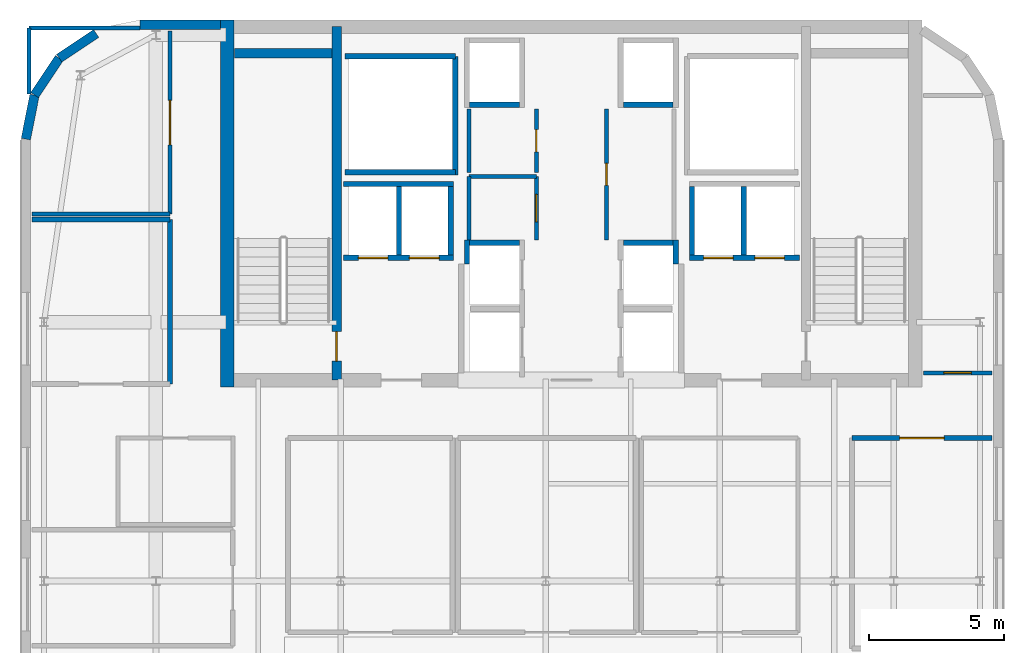
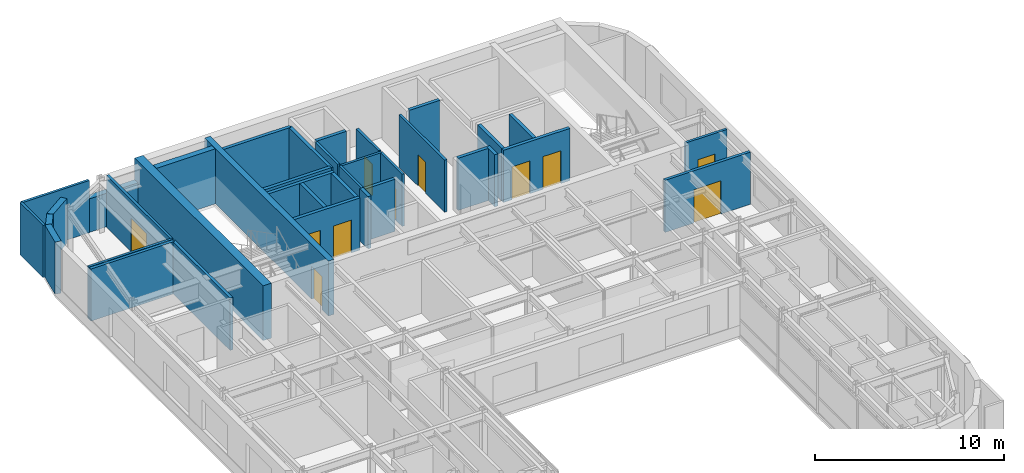
# One storey, part 16 of 21: 37 walls, 11 doors, 11 openings.
"""IFC4 building model written with IfcOpenShell, lengths in metres."""

from ifc_helpers import new_model, si_unit, direction, frame, frame_2d, origin, place, context, subcontext, project, spatial, rectangle, extrude, source, transform, mapped, material, layer, layer_set, type_object, type_shapes, element, fill, save


model = new_model("IFC4")

# Units and contexts
model_context = context("Model", 3, precision=1e-05, world=origin(), true_north=direction((0.0, 1.0)))
body_context = subcontext(model_context, "Body", "Model", "MODEL_VIEW")
ifc_project = project(units=[si_unit("LENGTHUNIT", "METRE"), si_unit("AREAUNIT", "SQUARE_METRE"), si_unit("VOLUMEUNIT", "CUBIC_METRE"), si_unit("PLANEANGLEUNIT", "RADIAN"), si_unit("MASSUNIT", "GRAM", prefix="KILO")], contexts=[model_context])

# Site, building, storey
site_placement = place(None, origin())
site = spatial("IfcSite", under=ifc_project, at=site_placement, CompositionType="ELEMENT")
building_placement = place(site_placement, origin())
building = spatial("IfcBuilding", under=site, at=building_placement, Name="Tolvann Quenvar Hotel", CompositionType="ELEMENT")
storey_placement = place(building_placement, frame((0.0, 0.0, 255.85009765625)))
storey = spatial("IfcBuildingStorey", under=building, at=storey_placement, Name="L68", CompositionType="ELEMENT", Elevation=255.85009765625)

# Wall
ifc_material_1 = material(Name="Concrete N50 (50 MPa)", Category="concrete")
ifc_layer_1 = layer(ifc_material_1, 0.5)
ifc_layer_set_1 = layer_set([ifc_layer_1], Name="Concrete N50 (50 MPa)")
wall_type_1 = type_object("IfcWallType", Name="WALL_CORE_500", PredefinedType="SHEAR", material=ifc_layer_set_1)
wall_1_placement = place(storey_placement, frame((10.25, 31.60009765625, 0.0), z_axis=(0.0, 0.0, 1.0), x_axis=(0.0, 1.0, 0.0)))
element("IfcWall", 1, at=wall_1_placement, inside=storey, type_object=wall_type_1, Name="Rear Core W Shear Wall (L68)", PredefinedType="SHEAR", context=body_context, shape_type="SweptSolid", body=[
    extrude(rectangle(XDim=13.599853515625, YDim=0.5, at=frame_2d((6.7998046875, 0.0))), origin(), (0.0, 0.0, 1.0), 3.5498046875),
])

# Wall, opening, door
ifc_material_2 = material(Name="Concrete S65 (65 MPa)", Category="concrete")
ifc_layer_2 = layer(ifc_material_2, 0.35009765625)
ifc_layer_set_2 = layer_set([ifc_layer_2], Name="Concrete S65 (65 MPa)")
wall_type_2 = type_object("IfcWallType", Name="WALL_CORE_INT_350", PredefinedType="SHEAR", material=ifc_layer_set_2)
wall_2_placement = place(storey_placement, frame((14.300048828125, 31.85009765625, 0.0), z_axis=(0.0, 0.0, 1.0), x_axis=(0.0, 1.0, 0.0)))
wall_2 = element("IfcWall", 2, at=wall_2_placement, inside=storey, type_object=wall_type_2, Name="Core Internal Web Shear Wall WEB-W (L68)", PredefinedType="SHEAR", context=body_context, shape_type="SweptSolid", body=[
    extrude(rectangle(XDim=13.099853515625, YDim=0.35009765625, at=frame_2d((6.5498046875, 0.0))), origin(), (0.0, 0.0, 1.0), 3.5498046875),
])
opening_1_placement = place(wall_2_placement, frame((0.699951171875, 0.0, 0.0)))
opening_1 = element("IfcOpeningElement", 3, at=opening_1_placement, cuts=wall_2, Name="Opening FD-120", PredefinedType="OPENING", context=body_context, shape_type="SweptSolid", body=[
    extrude(rectangle(XDim=1.10009765625, YDim=2.1201171875, at=frame_2d((0.550048828125, 1.06005859375))), frame((0.0, 0.18505859375, 0.0), z_axis=(0.0, -1.0, 0.0), x_axis=(1.0, 0.0, 0.0)), (0.0, 0.0, 1.0), 0.3701171875),
])
ifc_material_3 = material(Name="Pressed galvanised steel fire-rated door set", Category="steel")
door_type_1 = type_object("IfcDoorType", Name="DOOR_FIRE_STAIR_1100", OperationType="NOTDEFINED", PredefinedType="DOOR", material=ifc_material_3)
shared_shape_1 = source(origin(), body_context, "Body", "SweptSolid", [
    extrude(rectangle(XDim=1.10009765625, YDim=2.1201171875, at=frame_2d((0.550048828125, 1.06005859375))), frame((0.0, 0.02490234375, 0.0), z_axis=(0.0, -1.0, 0.0), x_axis=(1.0, 0.0, 0.0)), (0.0, 0.0, 1.0), 0.050048828125),
])
type_shapes(door_type_1, [shared_shape_1])
door_1_placement = place(opening_1_placement, origin())
door_1 = element("IfcDoor", 4, at=door_1_placement, inside=storey, type_object=door_type_1, Name="Exit Stair ST-C1 Fire Door (L68)", OperationType="SINGLE_SWING_LEFT", OverallHeight=2.1201171875, OverallWidth=1.10009765625, PredefinedType="DOOR", context=body_context, shape_type="MappedRepresentation", body=[
    mapped(shared_shape_1, transform((0.0, 0.0, 0.0), x_axis=(1.0, 0.0, 0.0), y_axis=(0.0, 1.0, 0.0), z_axis=(0.0, 0.0, 1.0), scale=1.0)),
])
fill(opening_1, door_1)

# Walls
wall_3_placement = place(storey_placement, frame((10.52001953125, 43.97509765625, 0.0), z_axis=(0.0, 0.0, 1.0), x_axis=(1.0, 0.0, 0.0)))
element("IfcWall", 5, at=wall_3_placement, inside=storey, type_object=wall_type_2, Name="Core Stair North Closing Shear Wall STC1-N (L68)", PredefinedType="SHEAR", context=body_context, shape_type="SweptSolid", body=[
    extrude(rectangle(XDim=3.60009765625, YDim=0.35009765625, at=frame_2d((1.800048828125, 0.0))), origin(), (0.0, 0.0, 1.0), 3.5498046875),
])
ifc_material_4 = material(Name="Kiln-fired red and buff architectural clay brickwork and terracotta masonry", Category="masonry")
ifc_layer_3 = layer(ifc_material_4, 0.35009765625)
ifc_layer_set_3 = layer_set([ifc_layer_3], Name="Kiln-fired red and buff architectural clay brickwork and terracotta masonry")
wall_type_3 = type_object("IfcWallType", Name="WALL_EXT_BRICK_350", PredefinedType="SOLIDWALL", material=ifc_layer_set_3)
wall_4_placement = place(storey_placement, frame((9.99609375, 45.02490234375, 0.0), z_axis=(0.0, 0.0, 1.0), x_axis=(-1.0, 0.0, 0.0)))
element("IfcWall", 6, at=wall_4_placement, inside=storey, type_object=wall_type_3, Name="Exterior Chicago Brick Wall L68-E18NW", PredefinedType="SOLIDWALL", context=body_context, shape_type="SweptSolid", body=[
    extrude(rectangle(XDim=2.97900390625, YDim=0.35009765625, at=frame_2d((1.489501953125, 0.0))), origin(), (0.0, 0.0, 1.0), 2.159912109375),
])
for number, where, z_axis, x_axis, name in (
    (7, (5.384521484375, 44.7001953125, 0.0), (0.0, 0.0, 1.0), (-0.831502623162, -0.555520825599, 0.0), "Exterior Chicago Brick Wall L68-E20"),
    (8, (4.014892578125, 43.78515625, 0.0), (0.0, 0.0, 1.0), (-0.555623290322, -0.831434158098, 0.0), "Exterior Chicago Brick Wall L68-E21"),
):
    element("IfcWall", number, at=place(storey_placement, frame(where, z_axis=z_axis, x_axis=x_axis)), inside=storey, type_object=wall_type_3, Name=name, PredefinedType="SOLIDWALL", context=body_context, shape_type="SweptSolid", body=[
        extrude(rectangle(XDim=1.647216796875, YDim=0.35009765625, at=frame_2d((0.82373046875, 0.0))), origin(), (0.0, 0.0, 1.0), 2.89990234375),
    ])
wall_5_placement = place(storey_placement, frame((3.099609375, 42.41552734375, 0.0), z_axis=(0.0, 0.0, 1.0), x_axis=(-0.195044345786, -0.980794424524, 0.0)))
element("IfcWall", 9, at=wall_5_placement, inside=storey, type_object=wall_type_3, Name="Exterior Chicago Brick Wall L68-E22", PredefinedType="SOLIDWALL", context=body_context, shape_type="SweptSolid", body=[
    extrude(rectangle(XDim=1.664794921875, YDim=0.35009765625, at=frame_2d((0.83251953125, 0.0))), origin(), (0.0, 0.0, 1.0), 3.369873046875),
])
ifc_material_5 = material(Name="Acoustic twin-stud fire-rated gypsum plasterboard partition")
ifc_layer_4 = layer(ifc_material_5, 0.179931640625)
ifc_layer_set_4 = layer_set([ifc_layer_4], Name="Acoustic twin-stud fire-rated gypsum plasterboard partition")
wall_type_4 = type_object("IfcWallType", Name="WALL_PART_ACOUSTIC_180", PredefinedType="PARTITIONING", material=ifc_layer_set_4)
wall_6_placement = place(storey_placement, frame((3.0048828125, 37.800048828125, 0.0), z_axis=(0.0, 0.0, 1.0), x_axis=(1.0, 0.0, 0.0)))
element("IfcWall", 10, at=wall_6_placement, inside=storey, type_object=wall_type_4, Name="Interior Partition PT-SPC-L68-SAL-N", PredefinedType="PARTITIONING", context=body_context, shape_type="SweptSolid", body=[
    extrude(rectangle(XDim=5.115234375, YDim=0.179931640625, at=frame_2d((2.5576171875, 0.0))), origin(), (0.0, 0.0, 1.0), 3.369873046875),
])
wall_7_placement = place(storey_placement, frame((8.1201171875, 31.699951171875, 0.0), z_axis=(0.0, 0.0, 1.0), x_axis=(0.0, 1.0, 0.0)))
element("IfcWall", 11, at=wall_7_placement, inside=storey, type_object=wall_type_4, Name="Interior Partition PT-SPC-L68-SAL-E", PredefinedType="PARTITIONING", context=body_context, shape_type="SweptSolid", body=[
    extrude(rectangle(XDim=6.10009765625, YDim=0.179931640625, at=frame_2d((3.050048828125, 0.0))), origin(), (0.0, 0.0, 1.0), 3.369873046875),
])

# Wall, opening, door
wall_8_placement = place(storey_placement, frame((33.39990234375, 29.699951171875, 0.0), z_axis=(0.0, 0.0, 1.0), x_axis=(1.0, 0.0, 0.0)))
wall_8 = element("IfcWall", 12, at=wall_8_placement, inside=storey, type_object=wall_type_4, Name="Interior Partition PT-SPC-L68-PNE1-N", PredefinedType="PARTITIONING", context=body_context, shape_type="SweptSolid", body=[
    extrude(rectangle(XDim=5.195068359375, YDim=0.179931640625, at=frame_2d((2.59765625, 0.0))), origin(), (0.0, 0.0, 1.0), 3.369873046875),
])
opening_2_placement = place(wall_8_placement, frame((1.7724609375, 0.0, 0.0)))
opening_2 = element("IfcOpeningElement", 13, at=opening_2_placement, cuts=wall_8, Name="Opening AD-01", PredefinedType="OPENING", context=body_context, shape_type="SweptSolid", body=[
    extrude(rectangle(XDim=1.64990234375, YDim=2.14990234375, at=frame_2d((0.824951171875, 1.074951171875))), frame((0.0, 0.10009765625, 0.0), z_axis=(0.0, -1.0, 0.0), x_axis=(1.0, 0.0, 0.0)), (0.0, 0.0, 1.0), 0.199951171875),
])
ifc_material_6 = material(Name="Solid-core American oak acoustic fire door leaf in steel frame", Category="steel")
door_type_2 = type_object("IfcDoorType", Name="DOOR_SALON_1650", OperationType="NOTDEFINED", PredefinedType="DOOR", material=ifc_material_6)
shared_shape_2 = source(origin(), body_context, "Body", "SweptSolid", [
    extrude(rectangle(XDim=1.64990234375, YDim=2.14990234375, at=frame_2d((0.824951171875, 1.074951171875))), frame((0.0, 0.02490234375, 0.0), z_axis=(0.0, -1.0, 0.0), x_axis=(1.0, 0.0, 0.0)), (0.0, 0.0, 1.0), 0.050048828125),
])
type_shapes(door_type_2, [shared_shape_2])
door_2_placement = place(opening_2_placement, origin())
door_2 = element("IfcDoor", 14, at=door_2_placement, inside=storey, type_object=door_type_2, Name="Interior Door DOOR-SPC-L68-PNE1", OperationType="DOUBLE_DOOR_SINGLE_SWING", OverallHeight=2.14990234375, OverallWidth=1.64990234375, PredefinedType="DOOR", context=body_context, shape_type="MappedRepresentation", body=[
    mapped(shared_shape_2, transform((0.0, 0.0, 0.0), x_axis=(1.0, 0.0, 0.0), y_axis=(0.0, 1.0, 0.0), z_axis=(0.0, 0.0, 1.0), scale=1.0)),
])
fill(opening_2, door_2)

ifc_layer_5 = layer(ifc_material_5, 0.14990234375)
ifc_layer_set_5 = layer_set([ifc_layer_5], Name="Acoustic twin-stud fire-rated gypsum plasterboard partition")
wall_type_5 = type_object("IfcWallType", Name="WALL_PART_SUITE_150", PredefinedType="PARTITIONING", material=ifc_layer_set_5)
wall_9_placement = place(storey_placement, frame((21.699951171875, 37.050048828125, 0.0), z_axis=(0.0, 0.0, 1.0), x_axis=(0.0, 1.0, 0.0)))
wall_9 = element("IfcWall", 15, at=wall_9_placement, inside=storey, type_object=wall_type_5, Name="Interior Partition PT-SPC-L68-RECPM-1-ENT", PredefinedType="PARTITIONING", context=body_context, shape_type="SweptSolid", body=[
    extrude(rectangle(XDim=2.349853515625, YDim=0.14990234375, at=frame_2d((1.1748046875, 0.0))), origin(), (0.0, 0.0, 1.0), 3.369873046875),
])
opening_3_placement = place(wall_9_placement, frame((0.6650390625, 0.0, 0.0)))
opening_3 = element("IfcOpeningElement", 16, at=opening_3_placement, cuts=wall_9, Name="Opening HD-01", PredefinedType="OPENING", context=body_context, shape_type="SweptSolid", body=[
    extrude(rectangle(XDim=1.02001953125, YDim=2.030029296875, at=frame_2d((0.510009765625, 1.01513671875))), frame((0.0, 0.0849609375, 0.0), z_axis=(0.0, -1.0, 0.0), x_axis=(1.0, 0.0, 0.0)), (0.0, 0.0, 1.0), 0.169921875),
])
door_type_3 = type_object("IfcDoorType", Name="DOOR_BOH_1020", OperationType="NOTDEFINED", PredefinedType="DOOR", material=ifc_material_3)
shared_shape_3 = source(origin(), body_context, "Body", "SweptSolid", [
    extrude(rectangle(XDim=1.02001953125, YDim=2.030029296875, at=frame_2d((0.510009765625, 1.01513671875))), frame((0.0, 0.02490234375, 0.0), z_axis=(0.0, -1.0, 0.0), x_axis=(1.0, 0.0, 0.0)), (0.0, 0.0, 1.0), 0.050048828125),
])
type_shapes(door_type_3, [shared_shape_3])
door_3_placement = place(opening_3_placement, origin())
door_3 = element("IfcDoor", 17, at=door_3_placement, inside=storey, type_object=door_type_3, Name="Interior Door DOOR-SPC-L68-RECPM-1", OperationType="SINGLE_SWING_RIGHT", OverallHeight=2.030029296875, OverallWidth=1.02001953125, PredefinedType="DOOR", context=body_context, shape_type="MappedRepresentation", body=[
    mapped(shared_shape_3, transform((0.0, 0.0, 0.0), x_axis=(1.0, 0.0, 0.0), y_axis=(0.0, 1.0, 0.0), z_axis=(0.0, 0.0, 1.0), scale=1.0)),
])
fill(opening_3, door_3)

# Walls
wall_10_placement = place(storey_placement, frame((19.199951171875, 39.39990234375, 0.0), z_axis=(0.0, 0.0, 1.0), x_axis=(1.0, 0.0, 0.0)))
element("IfcWall", 18, at=wall_10_placement, inside=storey, type_object=wall_type_5, Name="Interior Partition PT-SPC-L68-RECPM-1-N", PredefinedType="PARTITIONING", context=body_context, shape_type="SweptSolid", body=[
    extrude(rectangle(XDim=2.5, YDim=0.14990234375, at=frame_2d((1.25, 0.0))), origin(), (0.0, 0.0, 1.0), 3.369873046875),
])
wall_11_placement = place(storey_placement, frame((19.199951171875, 37.0400390625, 0.0), z_axis=(0.0, 0.0, 1.0), x_axis=(0.0, 1.0, 0.0)))
element("IfcWall", 19, at=wall_11_placement, inside=storey, type_object=wall_type_5, Name="Interior Partition PT-SPC-L68-RECPM-1-W", PredefinedType="PARTITIONING", context=body_context, shape_type="SweptSolid", body=[
    extrude(rectangle(XDim=2.35986328125, YDim=0.14990234375, at=frame_2d((1.179931640625, 0.0))), origin(), (0.0, 0.0, 1.0), 3.369873046875),
])

# Wall, opening, door
wall_12_placement = place(storey_placement, frame((21.699951171875, 39.550048828125, 0.0), z_axis=(0.0, 0.0, 1.0), x_axis=(0.0, 1.0, 0.0)))
wall_12 = element("IfcWall", 20, at=wall_12_placement, inside=storey, type_object=wall_type_5, Name="Interior Partition PT-SPC-L68-RECPM-2-ENT", PredefinedType="PARTITIONING", context=body_context, shape_type="SweptSolid", body=[
    extrude(rectangle(XDim=2.349853515625, YDim=0.14990234375, at=frame_2d((1.1748046875, 0.0))), origin(), (0.0, 0.0, 1.0), 3.369873046875),
])
opening_4_placement = place(wall_12_placement, frame((0.764892578125, 0.0, 0.0)))
opening_4 = element("IfcOpeningElement", 21, at=opening_4_placement, cuts=wall_12, Name="Opening HD-02", PredefinedType="OPENING", context=body_context, shape_type="SweptSolid", body=[
    extrude(rectangle(XDim=0.820068359375, YDim=2.010009765625, at=frame_2d((0.41015625, 1.0048828125))), frame((0.0, 0.0849609375, 0.0), z_axis=(0.0, -1.0, 0.0), x_axis=(1.0, 0.0, 0.0)), (0.0, 0.0, 1.0), 0.169921875),
])
door_type_4 = type_object("IfcDoorType", Name="DOOR_STORE_820", OperationType="NOTDEFINED", PredefinedType="DOOR", material=ifc_material_3)
shared_shape_4 = source(origin(), body_context, "Body", "SweptSolid", [
    extrude(rectangle(XDim=0.820068359375, YDim=2.010009765625, at=frame_2d((0.41015625, 1.0048828125))), frame((0.0, 0.02490234375, 0.0), z_axis=(0.0, -1.0, 0.0), x_axis=(1.0, 0.0, 0.0)), (0.0, 0.0, 1.0), 0.050048828125),
])
type_shapes(door_type_4, [shared_shape_4])
door_4_placement = place(opening_4_placement, origin())
door_4 = element("IfcDoor", 22, at=door_4_placement, inside=storey, type_object=door_type_4, Name="Interior Door DOOR-SPC-L68-RECPM-2", OperationType="SINGLE_SWING_LEFT", OverallHeight=2.010009765625, OverallWidth=0.820068359375, PredefinedType="DOOR", context=body_context, shape_type="MappedRepresentation", body=[
    mapped(shared_shape_4, transform((0.0, 0.0, 0.0), x_axis=(1.0, 0.0, 0.0), y_axis=(0.0, 1.0, 0.0), z_axis=(0.0, 0.0, 1.0), scale=1.0)),
])
fill(opening_4, door_4)

# Wall
wall_13_placement = place(storey_placement, frame((19.199951171875, 39.550048828125, 0.0), z_axis=(0.0, 0.0, 1.0), x_axis=(0.0, 1.0, 0.0)))
element("IfcWall", 23, at=wall_13_placement, inside=storey, type_object=wall_type_5, Name="Interior Partition PT-SPC-L68-RECPM-2-W", PredefinedType="PARTITIONING", context=body_context, shape_type="SweptSolid", body=[
    extrude(rectangle(XDim=2.349853515625, YDim=0.14990234375, at=frame_2d((1.1748046875, 0.0))), origin(), (0.0, 0.0, 1.0), 3.369873046875),
])

# Wall, opening, door
wall_14_placement = place(storey_placement, frame((24.300048828125, 37.050048828125, 0.0), z_axis=(0.0, 0.0, 1.0), x_axis=(0.0, 1.0, 0.0)))
wall_14 = element("IfcWall", 24, at=wall_14_placement, inside=storey, type_object=wall_type_5, Name="Interior Partition PT-SPC-L68-RECPM-3-ENT", PredefinedType="PARTITIONING", context=body_context, shape_type="SweptSolid", body=[
    extrude(rectangle(XDim=4.849853515625, YDim=0.14990234375, at=frame_2d((2.4248046875, 0.0))), origin(), (0.0, 0.0, 1.0), 3.369873046875),
])
opening_5_placement = place(wall_14_placement, frame((2.014892578125, 0.0, 0.0)))
opening_5 = element("IfcOpeningElement", 25, at=opening_5_placement, cuts=wall_14, Name="Opening HD-02", PredefinedType="OPENING", context=body_context, shape_type="SweptSolid", body=[
    extrude(rectangle(XDim=0.820068359375, YDim=2.010009765625, at=frame_2d((0.41015625, 1.0048828125))), frame((0.0, 0.0849609375, 0.0), z_axis=(0.0, -1.0, 0.0), x_axis=(1.0, 0.0, 0.0)), (0.0, 0.0, 1.0), 0.169921875),
])
door_5_placement = place(opening_5_placement, origin())
door_5 = element("IfcDoor", 26, at=door_5_placement, inside=storey, type_object=door_type_4, Name="Interior Door DOOR-SPC-L68-RECPM-3", OperationType="SINGLE_SWING_RIGHT", OverallHeight=2.010009765625, OverallWidth=0.820068359375, PredefinedType="DOOR", context=body_context, shape_type="MappedRepresentation", body=[
    mapped(shared_shape_4, transform((0.0, 0.0, 0.0), x_axis=(1.0, 0.0, 0.0), y_axis=(0.0, 1.0, 0.0), z_axis=(0.0, 0.0, 1.0), scale=1.0)),
])
fill(opening_5, door_5)

# Walls
wall_15_placement = place(storey_placement, frame((3.0048828125, 38.0, 0.0), z_axis=(0.0, 0.0, 1.0), x_axis=(1.0, 0.0, 0.0)))
element("IfcWall", 27, at=wall_15_placement, inside=storey, type_object=wall_type_5, Name="Interior Partition PT-SPC-L68-SPA-S", PredefinedType="PARTITIONING", context=body_context, shape_type="SweptSolid", body=[
    extrude(rectangle(XDim=5.115234375, YDim=0.14990234375, at=frame_2d((2.5576171875, 0.0))), origin(), (0.0, 0.0, 1.0), 3.369873046875),
])
wall_16_placement = place(storey_placement, frame((2.89990234375, 44.89990234375, 0.0), z_axis=(0.0, 0.0, 1.0), x_axis=(1.0, 0.0, 0.0)))
element("IfcWall", 28, at=wall_16_placement, inside=storey, type_object=wall_type_5, Name="Interior Partition PT-SPC-L68-SPA-N", PredefinedType="PARTITIONING", context=body_context, shape_type="SweptSolid", body=[
    extrude(rectangle(XDim=4.1171875, YDim=0.14990234375, at=frame_2d((2.05859375, 0.0))), origin(), (0.0, 0.0, 1.0), 3.369873046875),
])
wall_17_placement = place(storey_placement, frame((2.89990234375, 42.455078125, 0.0), z_axis=(0.0, 0.0, 1.0), x_axis=(0.0, 1.0, 0.0)))
element("IfcWall", 29, at=wall_17_placement, inside=storey, type_object=wall_type_5, Name="Interior Partition PT-SPC-L68-SPA-W", PredefinedType="PARTITIONING", context=body_context, shape_type="SweptSolid", body=[
    extrude(rectangle(XDim=2.44482421875, YDim=0.14990234375, at=frame_2d((1.222412109375, 0.0))), origin(), (0.0, 0.0, 1.0), 3.369873046875),
])

# Wall, opening, door
wall_18_placement = place(storey_placement, frame((8.1201171875, 38.0, 0.0), z_axis=(0.0, 0.0, 1.0), x_axis=(0.0, 1.0, 0.0)))
wall_18 = element("IfcWall", 30, at=wall_18_placement, inside=storey, type_object=wall_type_5, Name="Interior Partition PT-SPC-L68-SPA-E", PredefinedType="PARTITIONING", context=body_context, shape_type="SweptSolid", body=[
    extrude(rectangle(XDim=6.794921875, YDim=0.14990234375, at=frame_2d((3.3974609375, 0.0))), origin(), (0.0, 0.0, 1.0), 3.369873046875),
])
opening_6_placement = place(wall_18_placement, frame((2.572509765625, 0.0, 0.0)))
opening_6 = element("IfcOpeningElement", 31, at=opening_6_placement, cuts=wall_18, Name="Opening AD-01", PredefinedType="OPENING", context=body_context, shape_type="SweptSolid", body=[
    extrude(rectangle(XDim=1.64990234375, YDim=2.14990234375, at=frame_2d((0.824951171875, 1.074951171875))), frame((0.0, 0.0849609375, 0.0), z_axis=(0.0, -1.0, 0.0), x_axis=(1.0, 0.0, 0.0)), (0.0, 0.0, 1.0), 0.169921875),
])
door_6_placement = place(opening_6_placement, origin())
door_6 = element("IfcDoor", 32, at=door_6_placement, inside=storey, type_object=door_type_2, Name="Interior Door DOOR-SPC-L68-SPA", OperationType="DOUBLE_DOOR_SINGLE_SWING", OverallHeight=2.14990234375, OverallWidth=1.64990234375, PredefinedType="DOOR", context=body_context, shape_type="MappedRepresentation", body=[
    mapped(shared_shape_2, transform((0.0, 0.0, 0.0), x_axis=(1.0, 0.0, 0.0), y_axis=(0.0, 1.0, 0.0), z_axis=(0.0, 0.0, 1.0), scale=1.0)),
])
fill(opening_6, door_6)

wall_19_placement = place(storey_placement, frame((36.054931640625, 32.1201171875, 0.0), z_axis=(0.0, 0.0, 1.0), x_axis=(1.0, 0.0, 0.0)))
wall_19 = element("IfcWall", 33, at=wall_19_placement, inside=storey, type_object=wall_type_5, Name="Interior Partition PT-SPC-L68-RECPL-P-S", PredefinedType="PARTITIONING", context=body_context, shape_type="SweptSolid", body=[
    extrude(rectangle(XDim=2.5400390625, YDim=0.14990234375, at=frame_2d((1.27001953125, 0.0))), origin(), (0.0, 0.0, 1.0), 3.369873046875),
])
opening_7_placement = place(wall_19_placement, frame((0.760009765625, 0.0, 0.0)))
opening_7 = element("IfcOpeningElement", 34, at=opening_7_placement, cuts=wall_19, Name="Opening HD-01", PredefinedType="OPENING", context=body_context, shape_type="SweptSolid", body=[
    extrude(rectangle(XDim=1.02001953125, YDim=2.030029296875, at=frame_2d((0.510009765625, 1.01513671875))), frame((0.0, 0.0849609375, 0.0), z_axis=(0.0, -1.0, 0.0), x_axis=(1.0, 0.0, 0.0)), (0.0, 0.0, 1.0), 0.169921875),
])
door_7_placement = place(opening_7_placement, origin())
door_7 = element("IfcDoor", 35, at=door_7_placement, inside=storey, type_object=door_type_3, Name="Interior Door DOOR-SPC-L68-RECPL-P", OperationType="SINGLE_SWING_LEFT", OverallHeight=2.030029296875, OverallWidth=1.02001953125, PredefinedType="DOOR", context=body_context, shape_type="MappedRepresentation", body=[
    mapped(shared_shape_3, transform((0.0, 0.0, 0.0), x_axis=(1.0, 0.0, 0.0), y_axis=(0.0, 1.0, 0.0), z_axis=(0.0, 0.0, 1.0), scale=1.0)),
])
fill(opening_7, door_7)

# Walls
ifc_material_7 = material(Name="Concrete N40 (40 MPa)", Category="concrete")
ifc_layer_6 = layer(ifc_material_7, 0.199951171875)
ifc_layer_set_6 = layer_set([ifc_layer_6], Name="Concrete N40 (40 MPa)")
wall_type_6 = type_object("IfcWallType", Name="WALL_SHAFT_200", PredefinedType="SOLIDWALL", material=ifc_layer_set_6)
wall_20_placement = place(storey_placement, frame((18.699951171875, 39.449951171875, 0.0), z_axis=(0.0, 0.0, 1.0), x_axis=(0.0, 1.0, 0.0)))
element("IfcWall", 36, at=wall_20_placement, inside=storey, type_object=wall_type_6, Name="Service Riser W Shaft Wall IN (L68)", PredefinedType="SOLIDWALL", context=body_context, shape_type="SweptSolid", body=[
    extrude(rectangle(XDim=4.400146484375, YDim=0.199951171875, at=frame_2d((2.2001953125, 0.0))), origin(), (0.0, 0.0, 1.0), 3.369873046875),
])
for number, where, z_axis, x_axis, name in (
    (37, (14.60009765625, 39.550048828125, 0.0), (0.0, 0.0, 1.0), (1.0, 0.0, 0.0), "Service Riser W Shaft Wall S (L68)"),
    (38, (14.60009765625, 43.85009765625, 0.0), (0.0, 0.0, 1.0), (1.0, 0.0, 0.0), "Service Riser W Shaft Wall N (L68)"),
):
    element("IfcWall", number, at=place(storey_placement, frame(where, z_axis=z_axis, x_axis=x_axis)), inside=storey, type_object=wall_type_6, Name=name, PredefinedType="SOLIDWALL", context=body_context, shape_type="SweptSolid", body=[
        extrude(rectangle(XDim=4.099853515625, YDim=0.199951171875, at=frame_2d((2.0498046875, 0.0))), origin(), (0.0, 0.0, 1.0), 3.369873046875),
    ])
wall_21_placement = place(storey_placement, frame((19.1298828125, 36.159912109375, 0.0), z_axis=(0.0, 0.0, 1.0), x_axis=(0.0, 1.0, 0.0)))
element("IfcWall", 39, at=wall_21_placement, inside=storey, type_object=wall_type_6, Name="Lift Bank E21.1C1 Hoistway Rear Wall (L68)", PredefinedType="SOLIDWALL", context=body_context, shape_type="SweptSolid", body=[
    extrude(rectangle(XDim=0.880126953125, YDim=0.199951171875, at=frame_2d((0.43994140625, 0.0))), origin(), (0.0, 0.0, 1.0), 3.369873046875),
])
for number, where, z_axis, x_axis, name in (
    (40, (19.22998046875, 36.93994140625, 0.0), (0.0, 0.0, 1.0), (1.0, 0.0, 0.0), "Lift Bank E21.1C1 Hoistway Cheek Wall 2 (L68)"),
    (41, (19.22998046875, 42.06005859375, 0.0), (0.0, 0.0, 1.0), (1.0, 0.0, 0.0), "Lift Bank E21.1C2 Hoistway Cheek Wall 1 (L68)"),
):
    element("IfcWall", number, at=place(storey_placement, frame(where, z_axis=z_axis, x_axis=x_axis)), inside=storey, type_object=wall_type_6, Name=name, PredefinedType="SOLIDWALL", context=body_context, shape_type="SweptSolid", body=[
        extrude(rectangle(XDim=1.840087890625, YDim=0.199951171875, at=frame_2d((0.919921875, 0.0))), origin(), (0.0, 0.0, 1.0), 3.369873046875),
    ])

# Wall, openings, doors
wall_22_placement = place(storey_placement, frame((27.375, 36.3798828125, 0.0), z_axis=(0.0, 0.0, 1.0), x_axis=(1.0, 0.0, 0.0)))
wall_22 = element("IfcWall", 42, at=wall_22_placement, inside=storey, type_object=wall_type_6, Name="Lift Bank SEC1 Hoistway Front Wall (L68)", PredefinedType="SOLIDWALL", context=body_context, shape_type="SweptSolid", body=[
    extrude(rectangle(XDim=4.074951171875, YDim=0.199951171875, at=frame_2d((2.03759765625, 0.0))), origin(), (0.0, 0.0, 1.0), 3.369873046875),
])
opening_8_placement = place(wall_22_placement, frame((0.52490234375, 0.0, 0.0)))
opening_8 = element("IfcOpeningElement", 43, at=opening_8_placement, cuts=wall_22, Name="Opening LD-01", PredefinedType="OPENING", context=body_context, shape_type="SweptSolid", body=[
    extrude(rectangle(XDim=1.10009765625, YDim=2.1201171875, at=frame_2d((0.550048828125, 1.06005859375))), frame((0.0, 0.10986328125, 0.0), z_axis=(0.0, -1.0, 0.0), x_axis=(1.0, 0.0, 0.0)), (0.0, 0.0, 1.0), 0.219970703125),
])
opening_9_placement = place(wall_22_placement, frame((2.425048828125, 0.0, 0.0)))
opening_9 = element("IfcOpeningElement", 44, at=opening_9_placement, cuts=wall_22, Name="Opening LD-01", PredefinedType="OPENING", context=body_context, shape_type="SweptSolid", body=[
    extrude(rectangle(XDim=1.10009765625, YDim=2.1201171875, at=frame_2d((0.550048828125, 1.06005859375))), frame((0.0, 0.10986328125, 0.0), z_axis=(0.0, -1.0, 0.0), x_axis=(1.0, 0.0, 0.0)), (0.0, 0.0, 1.0), 0.219970703125),
])
ifc_material_8 = material(Name="Brushed 316 stainless steel automatic sliding lift landing door", Category="steel")
door_type_5 = type_object("IfcDoorType", Name="DOOR_LIFT_SLIDE_1100", OperationType="NOTDEFINED", PredefinedType="DOOR", material=ifc_material_8)
shared_shape_5 = source(origin(), body_context, "Body", "SweptSolid", [
    extrude(rectangle(XDim=1.10009765625, YDim=2.1201171875, at=frame_2d((0.550048828125, 1.06005859375))), frame((0.0, 0.02490234375, 0.0), z_axis=(0.0, -1.0, 0.0), x_axis=(1.0, 0.0, 0.0)), (0.0, 0.0, 1.0), 0.050048828125),
])
type_shapes(door_type_5, [shared_shape_5])
door_8_placement = place(opening_8_placement, origin())
door_8 = element("IfcDoor", 45, at=door_8_placement, inside=storey, type_object=door_type_5, Name="Lift SV-2 Sliding Landing Door (L68)", OperationType="SLIDING_TO_LEFT", OverallHeight=2.1201171875, OverallWidth=1.10009765625, PredefinedType="DOOR", context=body_context, shape_type="MappedRepresentation", body=[
    mapped(shared_shape_5, transform((0.0, 0.0, 0.0), x_axis=(1.0, 0.0, 0.0), y_axis=(0.0, 1.0, 0.0), z_axis=(0.0, 0.0, 1.0), scale=1.0)),
])
fill(opening_8, door_8)
door_9_placement = place(opening_9_placement, origin())
door_9 = element("IfcDoor", 46, at=door_9_placement, inside=storey, type_object=door_type_5, Name="Lift FF-2 Sliding Landing Door (L68)", OperationType="SLIDING_TO_RIGHT", OverallHeight=2.1201171875, OverallWidth=1.10009765625, PredefinedType="DOOR", context=body_context, shape_type="MappedRepresentation", body=[
    mapped(shared_shape_5, transform((0.0, 0.0, 0.0), x_axis=(1.0, 0.0, 0.0), y_axis=(0.0, 1.0, 0.0), z_axis=(0.0, 0.0, 1.0), scale=1.0)),
])
fill(opening_9, door_9)

# Walls
for number, where, z_axis, x_axis, name in (
    (47, (27.47509765625, 36.47998046875, 0.0), (0.0, 0.0, 1.0), (0.0, 1.0, 0.0), "Lift Bank SEC1 Hoistway Cheek Wall 1 (L68)"),
    (48, (29.387451171875, 36.47998046875, 0.0), (0.0, 0.0, 1.0), (0.0, 1.0, 0.0), "Lift Bank SEC1 Divider Wall 1 (L68)"),
):
    element("IfcWall", number, at=place(storey_placement, frame(where, z_axis=z_axis, x_axis=x_axis)), inside=storey, type_object=wall_type_6, Name=name, PredefinedType="SOLIDWALL", context=body_context, shape_type="SweptSolid", body=[
        extrude(rectangle(XDim=2.5400390625, YDim=0.199951171875, at=frame_2d((1.27001953125, 0.0))), origin(), (0.0, 0.0, 1.0), 3.369873046875),
    ])

# Wall, openings, doors
wall_23_placement = place(storey_placement, frame((14.550048828125, 36.3798828125, 0.0), z_axis=(0.0, 0.0, 1.0), x_axis=(1.0, 0.0, 0.0)))
wall_23 = element("IfcWall", 49, at=wall_23_placement, inside=storey, type_object=wall_type_6, Name="Lift Bank SWC1 Hoistway Front Wall (L68)", PredefinedType="SOLIDWALL", context=body_context, shape_type="SweptSolid", body=[
    extrude(rectangle(XDim=4.074951171875, YDim=0.199951171875, at=frame_2d((2.03759765625, 0.0))), origin(), (0.0, 0.0, 1.0), 3.369873046875),
])
opening_10_placement = place(wall_23_placement, frame((0.550048828125, 0.0, 0.0)))
opening_10 = element("IfcOpeningElement", 50, at=opening_10_placement, cuts=wall_23, Name="Opening LD-01", PredefinedType="OPENING", context=body_context, shape_type="SweptSolid", body=[
    extrude(rectangle(XDim=1.10009765625, YDim=2.1201171875, at=frame_2d((0.550048828125, 1.06005859375))), frame((0.0, 0.10986328125, 0.0), z_axis=(0.0, -1.0, 0.0), x_axis=(1.0, 0.0, 0.0)), (0.0, 0.0, 1.0), 0.219970703125),
])
opening_11_placement = place(wall_23_placement, frame((2.449951171875, 0.0, 0.0)))
opening_11 = element("IfcOpeningElement", 51, at=opening_11_placement, cuts=wall_23, Name="Opening LD-01", PredefinedType="OPENING", context=body_context, shape_type="SweptSolid", body=[
    extrude(rectangle(XDim=1.10009765625, YDim=2.1201171875, at=frame_2d((0.550048828125, 1.06005859375))), frame((0.0, 0.10986328125, 0.0), z_axis=(0.0, -1.0, 0.0), x_axis=(1.0, 0.0, 0.0)), (0.0, 0.0, 1.0), 0.219970703125),
])
door_10_placement = place(opening_10_placement, origin())
door_10 = element("IfcDoor", 52, at=door_10_placement, inside=storey, type_object=door_type_5, Name="Lift FF-1 Sliding Landing Door (L68)", OperationType="SLIDING_TO_LEFT", OverallHeight=2.1201171875, OverallWidth=1.10009765625, PredefinedType="DOOR", context=body_context, shape_type="MappedRepresentation", body=[
    mapped(shared_shape_5, transform((0.0, 0.0, 0.0), x_axis=(1.0, 0.0, 0.0), y_axis=(0.0, 1.0, 0.0), z_axis=(0.0, 0.0, 1.0), scale=1.0)),
])
fill(opening_10, door_10)
door_11_placement = place(opening_11_placement, origin())
door_11 = element("IfcDoor", 53, at=door_11_placement, inside=storey, type_object=door_type_5, Name="Lift SV-1 Sliding Landing Door (L68)", OperationType="SLIDING_TO_RIGHT", OverallHeight=2.1201171875, OverallWidth=1.10009765625, PredefinedType="DOOR", context=body_context, shape_type="MappedRepresentation", body=[
    mapped(shared_shape_5, transform((0.0, 0.0, 0.0), x_axis=(1.0, 0.0, 0.0), y_axis=(0.0, 1.0, 0.0), z_axis=(0.0, 0.0, 1.0), scale=1.0)),
])
fill(opening_11, door_11)

# Walls
wall_24_placement = place(storey_placement, frame((14.550048828125, 39.1201171875, 0.0), z_axis=(0.0, 0.0, 1.0), x_axis=(1.0, 0.0, 0.0)))
element("IfcWall", 54, at=wall_24_placement, inside=storey, type_object=wall_type_6, Name="Lift Bank SWC1 Hoistway Rear Wall (L68)", PredefinedType="SOLIDWALL", context=body_context, shape_type="SweptSolid", body=[
    extrude(rectangle(XDim=4.074951171875, YDim=0.199951171875, at=frame_2d((2.03759765625, 0.0))), origin(), (0.0, 0.0, 1.0), 3.369873046875),
])
for number, where, z_axis, x_axis, name in (
    (55, (18.52490234375, 36.47998046875, 0.0), (0.0, 0.0, 1.0), (0.0, 1.0, 0.0), "Lift Bank SWC1 Hoistway Cheek Wall 2 (L68)"),
    (56, (16.612548828125, 36.47998046875, 0.0), (0.0, 0.0, 1.0), (0.0, 1.0, 0.0), "Lift Bank SWC1 Divider Wall 1 (L68)"),
):
    element("IfcWall", number, at=place(storey_placement, frame(where, z_axis=z_axis, x_axis=x_axis)), inside=storey, type_object=wall_type_6, Name=name, PredefinedType="SOLIDWALL", context=body_context, shape_type="SweptSolid", body=[
        extrude(rectangle(XDim=2.5400390625, YDim=0.199951171875, at=frame_2d((1.27001953125, 0.0))), origin(), (0.0, 0.0, 1.0), 3.369873046875),
    ])
wall_25_placement = place(storey_placement, frame((26.8701171875, 36.159912109375, 0.0), z_axis=(0.0, 0.0, 1.0), x_axis=(0.0, 1.0, 0.0)))
element("IfcWall", 57, at=wall_25_placement, inside=storey, type_object=wall_type_6, Name="Lift Bank W24.9C1 Hoistway Rear Wall (L68)", PredefinedType="SOLIDWALL", context=body_context, shape_type="SweptSolid", body=[
    extrude(rectangle(XDim=0.880126953125, YDim=0.199951171875, at=frame_2d((0.43994140625, 0.0))), origin(), (0.0, 0.0, 1.0), 3.369873046875),
])
for number, where, z_axis, x_axis, name in (
    (58, (24.929931640625, 36.93994140625, 0.0), (0.0, 0.0, 1.0), (1.0, 0.0, 0.0), "Lift Bank W24.9C1 Hoistway Cheek Wall 2 (L68)"),
    (59, (24.929931640625, 42.06005859375, 0.0), (0.0, 0.0, 1.0), (1.0, 0.0, 0.0), "Lift Bank W24.9C2 Hoistway Cheek Wall 1 (L68)"),
):
    element("IfcWall", number, at=place(storey_placement, frame(where, z_axis=z_axis, x_axis=x_axis)), inside=storey, type_object=wall_type_6, Name=name, PredefinedType="SOLIDWALL", context=body_context, shape_type="SweptSolid", body=[
        extrude(rectangle(XDim=1.840087890625, YDim=0.199951171875, at=frame_2d((0.919921875, 0.0))), origin(), (0.0, 0.0, 1.0), 3.369873046875),
    ])

save(model, "model.ifc")
